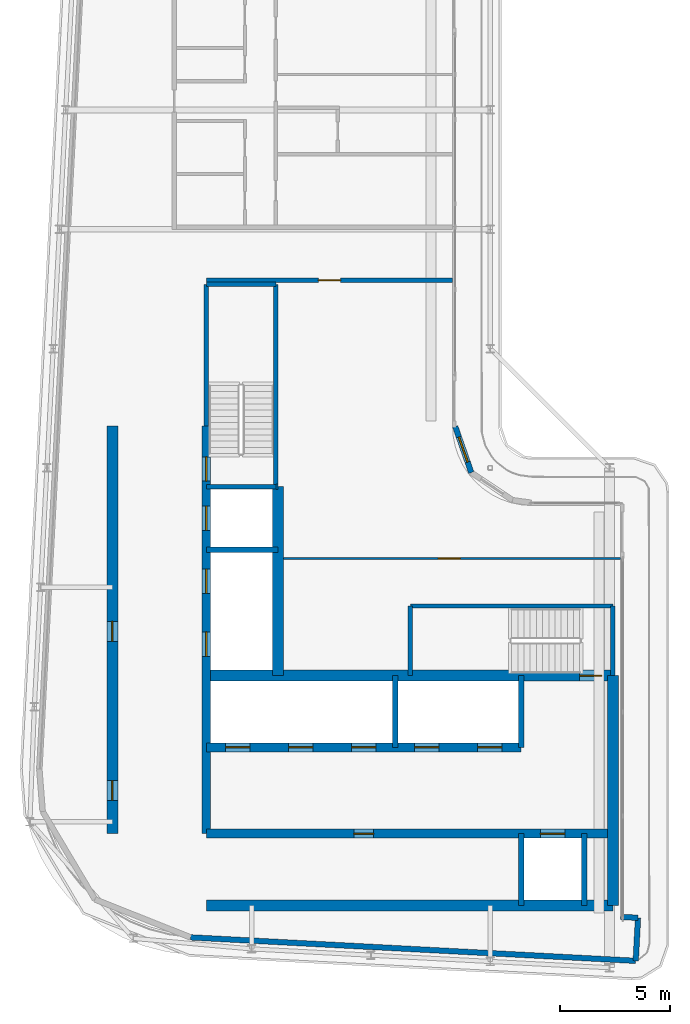
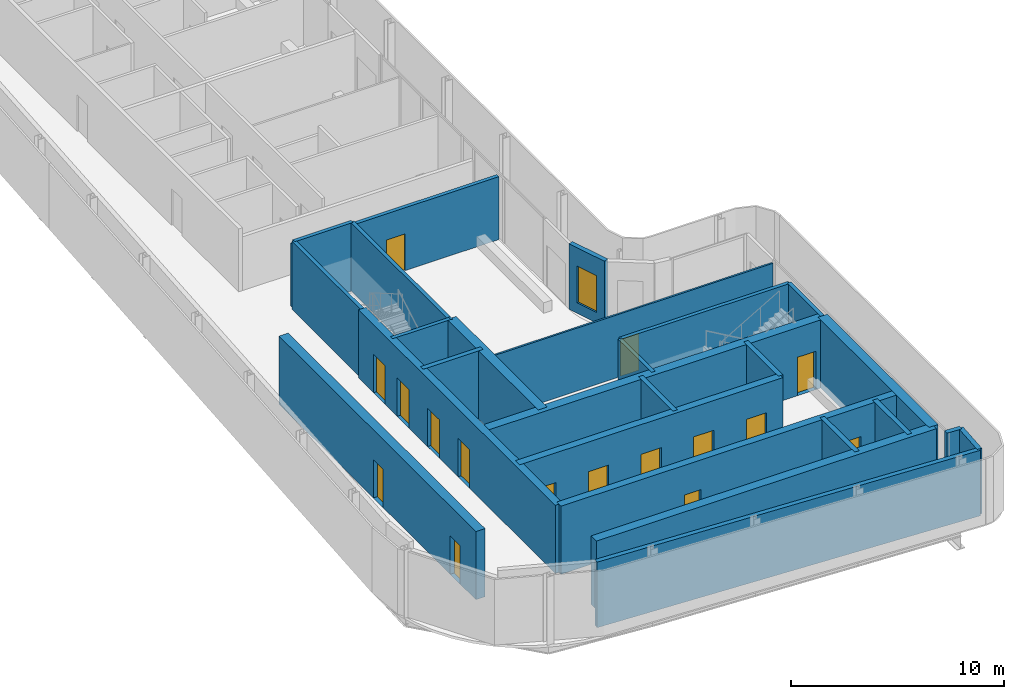
# One storey, part 9 of 18: 27 walls, 16 doors, 1 window, 17 openings.
"""IFC4 building model written with IfcOpenShell, lengths in metres."""

from ifc_helpers import new_model, si_unit, direction, frame, frame_2d, origin, place, context, subcontext, project, spatial, rectangle, extrude, source, transform, mapped, material, layer, layer_set, type_object, element, fill, save


model = new_model("IFC4")

# Units and contexts
model_context = context("Model", 3, precision=1e-05, world=origin(), true_north=direction((0.0, 1.0)))
body_context = subcontext(model_context, "Body", "Model", "MODEL_VIEW")
ifc_project = project(units=[si_unit("LENGTHUNIT", "METRE"), si_unit("AREAUNIT", "SQUARE_METRE"), si_unit("VOLUMEUNIT", "CUBIC_METRE"), si_unit("PLANEANGLEUNIT", "RADIAN"), si_unit("MASSUNIT", "GRAM", prefix="KILO")], contexts=[model_context])

# Site, building, storey
site_placement = place(None, origin())
site = spatial("IfcSite", under=ifc_project, at=site_placement, CompositionType="ELEMENT")
building_placement = place(site_placement, origin())
building = spatial("IfcBuilding", under=site, at=building_placement, Name="Kheshtan School and Residences Tower", CompositionType="ELEMENT")
storey_placement = place(building_placement, frame((0.0, 0.0, 377.300048828125)))
storey = spatial("IfcBuildingStorey", under=building, at=storey_placement, Name="L89", CompositionType="ELEMENT", Elevation=377.300048828125)

# Wall, openings, doors
ifc_material_1 = material(Name="Concrete C50/60", Category="concrete")
ifc_layer_1 = layer(ifc_material_1, 0.39990234375)
ifc_layer_set_1 = layer_set([ifc_layer_1], Name="Core wall 400 Concrete C50/60")
wall_type_1 = type_object("IfcWallType", Name="Core wall 400 Concrete C50/60", PredefinedType="SHEAR", material=ifc_layer_set_1)
wall_1_placement = place(storey_placement, frame((34.75, 29.050048828125, 0.0), z_axis=(0.0, 0.0, 1.0), x_axis=(1.0, 0.0, 0.0)))
wall_1 = element("IfcWall", 1, at=wall_1_placement, inside=storey, type_object=wall_type_1, Name="Core wall CW-HALL-S1", PredefinedType="SHEAR", context=body_context, shape_type="SweptSolid", body=[
    extrude(rectangle(XDim=18.39990234375, YDim=0.39990234375, at=frame_2d((9.199951171875, 0.0))), origin(), (0.0, 0.0, 1.0), 3.89990234375),
])
opening_1_placement = place(wall_1_placement, frame((15.125, 0.0, 0.0)))
opening_1 = element("IfcOpeningElement", 2, at=opening_1_placement, cuts=wall_1, Name="Opening LD", PredefinedType="OPENING", context=body_context, shape_type="SweptSolid", body=[
    extrude(rectangle(XDim=1.10009765625, YDim=2.199951171875, at=frame_2d((0.550048828125, 1.10009765625))), frame((0.0, 0.2099609375, 0.0), z_axis=(0.0, -1.0, 0.0), x_axis=(1.0, 0.0, 0.0)), (0.0, 0.0, 1.0), 0.419921875),
])
opening_2_placement = place(wall_1_placement, frame((6.675048828125, 0.0, 0.0)))
opening_2 = element("IfcOpeningElement", 3, at=opening_2_placement, cuts=wall_1, Name="Opening SR90", PredefinedType="OPENING", context=body_context, shape_type="SweptSolid", body=[
    extrude(rectangle(XDim=0.89990234375, YDim=2.199951171875, at=frame_2d((0.449951171875, 1.10009765625))), frame((0.0, 0.2099609375, 0.0), z_axis=(0.0, -1.0, 0.0), x_axis=(1.0, 0.0, 0.0)), (0.0, 0.0, 1.0), 0.419921875),
])
ifc_material_2 = material(Name="Stainless steel door leaves", Category="steel")
door_type_1 = type_object("IfcDoorType", Name="Lift landing door 1100", OperationType="SLIDING_TO_LEFT", PredefinedType="DOOR", material=ifc_material_2)
shared_shape_1 = source(origin(), body_context, "Body", "SweptSolid", [
    extrude(rectangle(XDim=1.10009765625, YDim=2.199951171875, at=frame_2d((0.550048828125, 1.10009765625))), frame((0.0, 0.02490234375, 0.0), z_axis=(0.0, -1.0, 0.0), x_axis=(1.0, 0.0, 0.0)), (0.0, 0.0, 1.0), 0.050048828125),
])
door_1_placement = place(opening_1_placement, origin())
door_1 = element("IfcDoor", 4, at=door_1_placement, inside=storey, type_object=door_type_1, Name="Lift FFL2 landing door", OperationType="SLIDING_TO_LEFT", OverallHeight=2.199951171875, OverallWidth=1.10009765625, PredefinedType="DOOR", context=body_context, shape_type="MappedRepresentation", body=[
    mapped(shared_shape_1, transform((0.0, 0.0, 0.0), x_axis=(1.0, 0.0, 0.0), y_axis=(0.0, 1.0, 0.0), z_axis=(0.0, 0.0, 1.0), scale=1.0)),
])
fill(opening_1, door_1)
ifc_material_3 = material(Name="Steel door leaf, galvanised", Category="steel")
door_type_2 = type_object("IfcDoorType", Name="Service room door 900 steel 90 min", OperationType="SINGLE_SWING_LEFT", PredefinedType="DOOR", material=ifc_material_3)
shared_shape_2 = source(origin(), body_context, "Body", "SweptSolid", [
    extrude(rectangle(XDim=0.89990234375, YDim=2.199951171875, at=frame_2d((0.449951171875, 1.10009765625))), frame((0.0, 0.02490234375, 0.0), z_axis=(0.0, -1.0, 0.0), x_axis=(1.0, 0.0, 0.0)), (0.0, 0.0, 1.0), 0.050048828125),
])
door_2_placement = place(opening_2_placement, origin())
door_2 = element("IfcDoor", 5, at=door_2_placement, inside=storey, type_object=door_type_2, Name="Service room door", OperationType="SINGLE_SWING_RIGHT", OverallHeight=2.199951171875, OverallWidth=0.89990234375, PredefinedType="DOOR", context=body_context, shape_type="MappedRepresentation", body=[
    mapped(shared_shape_2, transform((0.0, 0.0, 0.0), x_axis=(1.0, 0.0, 0.0), y_axis=(0.0, 1.0, 0.0), z_axis=(0.0, 0.0, 1.0), scale=1.0)),
])
fill(opening_2, door_2)

wall_2_placement = place(storey_placement, frame((34.75, 32.949951171875, 0.0), z_axis=(0.0, 0.0, 1.0), x_axis=(1.0, 0.0, 0.0)))
wall_2 = element("IfcWall", 6, at=wall_2_placement, inside=storey, type_object=wall_type_1, Name="Core wall CW-HALL-S2", PredefinedType="SHEAR", context=body_context, shape_type="SweptSolid", body=[
    extrude(rectangle(XDim=14.25, YDim=0.39990234375, at=frame_2d((7.125, 0.0))), origin(), (0.0, 0.0, 1.0), 3.89990234375),
])
opening_3_placement = place(wall_2_placement, frame((0.875, 0.0, 0.0)))
opening_3 = element("IfcOpeningElement", 7, at=opening_3_placement, cuts=wall_2, Name="Opening LD", PredefinedType="OPENING", context=body_context, shape_type="SweptSolid", body=[
    extrude(rectangle(XDim=1.10009765625, YDim=2.199951171875, at=frame_2d((0.550048828125, 1.10009765625))), frame((0.0, 0.2099609375, 0.0), z_axis=(0.0, -1.0, 0.0), x_axis=(1.0, 0.0, 0.0)), (0.0, 0.0, 1.0), 0.419921875),
])
opening_4_placement = place(wall_2_placement, frame((3.72509765625, 0.0, 0.0)))
opening_4 = element("IfcOpeningElement", 8, at=opening_4_placement, cuts=wall_2, Name="Opening LD", PredefinedType="OPENING", context=body_context, shape_type="SweptSolid", body=[
    extrude(rectangle(XDim=1.10009765625, YDim=2.199951171875, at=frame_2d((0.550048828125, 1.10009765625))), frame((0.0, 0.2099609375, 0.0), z_axis=(0.0, -1.0, 0.0), x_axis=(1.0, 0.0, 0.0)), (0.0, 0.0, 1.0), 0.419921875),
])
opening_5_placement = place(wall_2_placement, frame((6.574951171875, 0.0, 0.0)))
opening_5 = element("IfcOpeningElement", 9, at=opening_5_placement, cuts=wall_2, Name="Opening LD", PredefinedType="OPENING", context=body_context, shape_type="SweptSolid", body=[
    extrude(rectangle(XDim=1.10009765625, YDim=2.199951171875, at=frame_2d((0.550048828125, 1.10009765625))), frame((0.0, 0.2099609375, 0.0), z_axis=(0.0, -1.0, 0.0), x_axis=(1.0, 0.0, 0.0)), (0.0, 0.0, 1.0), 0.419921875),
])
opening_6_placement = place(wall_2_placement, frame((9.425048828125, 0.0, 0.0)))
opening_6 = element("IfcOpeningElement", 10, at=opening_6_placement, cuts=wall_2, Name="Opening LD", PredefinedType="OPENING", context=body_context, shape_type="SweptSolid", body=[
    extrude(rectangle(XDim=1.10009765625, YDim=2.199951171875, at=frame_2d((0.550048828125, 1.10009765625))), frame((0.0, 0.2099609375, 0.0), z_axis=(0.0, -1.0, 0.0), x_axis=(1.0, 0.0, 0.0)), (0.0, 0.0, 1.0), 0.419921875),
])
opening_7_placement = place(wall_2_placement, frame((12.27490234375, 0.0, 0.0)))
opening_7 = element("IfcOpeningElement", 11, at=opening_7_placement, cuts=wall_2, Name="Opening LD", PredefinedType="OPENING", context=body_context, shape_type="SweptSolid", body=[
    extrude(rectangle(XDim=1.10009765625, YDim=2.199951171875, at=frame_2d((0.550048828125, 1.10009765625))), frame((0.0, 0.2099609375, 0.0), z_axis=(0.0, -1.0, 0.0), x_axis=(1.0, 0.0, 0.0)), (0.0, 0.0, 1.0), 0.419921875),
])
door_3_placement = place(opening_3_placement, origin())
door_3 = element("IfcDoor", 12, at=door_3_placement, inside=storey, type_object=door_type_1, Name="Lift P12 landing door", OperationType="SLIDING_TO_LEFT", OverallHeight=2.199951171875, OverallWidth=1.10009765625, PredefinedType="DOOR", context=body_context, shape_type="MappedRepresentation", body=[
    mapped(shared_shape_1, transform((0.0, 0.0, 0.0), x_axis=(1.0, 0.0, 0.0), y_axis=(0.0, 1.0, 0.0), z_axis=(0.0, 0.0, 1.0), scale=1.0)),
])
fill(opening_3, door_3)
door_4_placement = place(opening_4_placement, origin())
door_4 = element("IfcDoor", 13, at=door_4_placement, inside=storey, type_object=door_type_1, Name="Lift P13 landing door", OperationType="SLIDING_TO_LEFT", OverallHeight=2.199951171875, OverallWidth=1.10009765625, PredefinedType="DOOR", context=body_context, shape_type="MappedRepresentation", body=[
    mapped(shared_shape_1, transform((0.0, 0.0, 0.0), x_axis=(1.0, 0.0, 0.0), y_axis=(0.0, 1.0, 0.0), z_axis=(0.0, 0.0, 1.0), scale=1.0)),
])
fill(opening_4, door_4)
door_5_placement = place(opening_5_placement, origin())
door_5 = element("IfcDoor", 14, at=door_5_placement, inside=storey, type_object=door_type_1, Name="Lift P14 landing door", OperationType="SLIDING_TO_LEFT", OverallHeight=2.199951171875, OverallWidth=1.10009765625, PredefinedType="DOOR", context=body_context, shape_type="MappedRepresentation", body=[
    mapped(shared_shape_1, transform((0.0, 0.0, 0.0), x_axis=(1.0, 0.0, 0.0), y_axis=(0.0, 1.0, 0.0), z_axis=(0.0, 0.0, 1.0), scale=1.0)),
])
fill(opening_5, door_5)
door_6_placement = place(opening_6_placement, origin())
door_6 = element("IfcDoor", 15, at=door_6_placement, inside=storey, type_object=door_type_1, Name="Lift P15 landing door", OperationType="SLIDING_TO_LEFT", OverallHeight=2.199951171875, OverallWidth=1.10009765625, PredefinedType="DOOR", context=body_context, shape_type="MappedRepresentation", body=[
    mapped(shared_shape_1, transform((0.0, 0.0, 0.0), x_axis=(1.0, 0.0, 0.0), y_axis=(0.0, 1.0, 0.0), z_axis=(0.0, 0.0, 1.0), scale=1.0)),
])
fill(opening_6, door_6)
door_7_placement = place(opening_7_placement, origin())
door_7 = element("IfcDoor", 16, at=door_7_placement, inside=storey, type_object=door_type_1, Name="Lift P16 landing door", OperationType="SLIDING_TO_LEFT", OverallHeight=2.199951171875, OverallWidth=1.10009765625, PredefinedType="DOOR", context=body_context, shape_type="MappedRepresentation", body=[
    mapped(shared_shape_1, transform((0.0, 0.0, 0.0), x_axis=(1.0, 0.0, 0.0), y_axis=(0.0, 1.0, 0.0), z_axis=(0.0, 0.0, 1.0), scale=1.0)),
])
fill(opening_7, door_7)

wall_3_placement = place(storey_placement, frame((34.75, 29.050048828125, 0.0), z_axis=(0.0, 0.0, 1.0), x_axis=(0.0, 1.0, 0.0)))
wall_3 = element("IfcWall", 17, at=wall_3_placement, inside=storey, type_object=wall_type_1, Name="Core wall CW-HALL-W1", PredefinedType="SHEAR", context=body_context, shape_type="SweptSolid", body=[
    extrude(rectangle(XDim=18.449951171875, YDim=0.39990234375, at=frame_2d((9.22509765625, 0.0))), origin(), (0.0, 0.0, 1.0), 3.89990234375),
])
opening_8_placement = place(wall_3_placement, frame((8.02490234375, 0.0, 0.0)))
opening_8 = element("IfcOpeningElement", 18, at=opening_8_placement, cuts=wall_3, Name="Opening LD", PredefinedType="OPENING", context=body_context, shape_type="SweptSolid", body=[
    extrude(rectangle(XDim=1.10009765625, YDim=2.199951171875, at=frame_2d((0.550048828125, 1.10009765625))), frame((0.0, 0.2099609375, 0.0), z_axis=(0.0, -1.0, 0.0), x_axis=(1.0, 0.0, 0.0)), (0.0, 0.0, 1.0), 0.419921875),
])
opening_9_placement = place(wall_3_placement, frame((10.875, 0.0, 0.0)))
opening_9 = element("IfcOpeningElement", 19, at=opening_9_placement, cuts=wall_3, Name="Opening LD", PredefinedType="OPENING", context=body_context, shape_type="SweptSolid", body=[
    extrude(rectangle(XDim=1.10009765625, YDim=2.199951171875, at=frame_2d((0.550048828125, 1.10009765625))), frame((0.0, 0.2099609375, 0.0), z_axis=(0.0, -1.0, 0.0), x_axis=(1.0, 0.0, 0.0)), (0.0, 0.0, 1.0), 0.419921875),
])
opening_10_placement = place(wall_3_placement, frame((13.72509765625, 0.0, 0.0)))
opening_10 = element("IfcOpeningElement", 20, at=opening_10_placement, cuts=wall_3, Name="Opening LD", PredefinedType="OPENING", context=body_context, shape_type="SweptSolid", body=[
    extrude(rectangle(XDim=1.10009765625, YDim=2.199951171875, at=frame_2d((0.550048828125, 1.10009765625))), frame((0.0, 0.2099609375, 0.0), z_axis=(0.0, -1.0, 0.0), x_axis=(1.0, 0.0, 0.0)), (0.0, 0.0, 1.0), 0.419921875),
])
opening_11_placement = place(wall_3_placement, frame((15.949951171875, 0.0, 0.0)))
opening_11 = element("IfcOpeningElement", 21, at=opening_11_placement, cuts=wall_3, Name="Opening ST2D", PredefinedType="OPENING", context=body_context, shape_type="SweptSolid", body=[
    extrude(rectangle(XDim=1.10009765625, YDim=2.199951171875, at=frame_2d((0.550048828125, 1.10009765625))), frame((0.0, 0.2099609375, 0.0), z_axis=(0.0, -1.0, 0.0), x_axis=(1.0, 0.0, 0.0)), (0.0, 0.0, 1.0), 0.419921875),
])
door_8_placement = place(opening_8_placement, origin())
door_8 = element("IfcDoor", 22, at=door_8_placement, inside=storey, type_object=door_type_1, Name="Lift SV1 landing door", OperationType="SLIDING_TO_LEFT", OverallHeight=2.199951171875, OverallWidth=1.10009765625, PredefinedType="DOOR", context=body_context, shape_type="MappedRepresentation", body=[
    mapped(shared_shape_1, transform((0.0, 0.0, 0.0), x_axis=(1.0, 0.0, 0.0), y_axis=(0.0, 1.0, 0.0), z_axis=(0.0, 0.0, 1.0), scale=1.0)),
])
fill(opening_8, door_8)
door_9_placement = place(opening_9_placement, origin())
door_9 = element("IfcDoor", 23, at=door_9_placement, inside=storey, type_object=door_type_1, Name="Lift SV2 landing door", OperationType="SLIDING_TO_LEFT", OverallHeight=2.199951171875, OverallWidth=1.10009765625, PredefinedType="DOOR", context=body_context, shape_type="MappedRepresentation", body=[
    mapped(shared_shape_1, transform((0.0, 0.0, 0.0), x_axis=(1.0, 0.0, 0.0), y_axis=(0.0, 1.0, 0.0), z_axis=(0.0, 0.0, 1.0), scale=1.0)),
])
fill(opening_9, door_9)
door_10_placement = place(opening_10_placement, origin())
door_10 = element("IfcDoor", 24, at=door_10_placement, inside=storey, type_object=door_type_1, Name="Lift FFL1 landing door", OperationType="SLIDING_TO_LEFT", OverallHeight=2.199951171875, OverallWidth=1.10009765625, PredefinedType="DOOR", context=body_context, shape_type="MappedRepresentation", body=[
    mapped(shared_shape_1, transform((0.0, 0.0, 0.0), x_axis=(1.0, 0.0, 0.0), y_axis=(0.0, 1.0, 0.0), z_axis=(0.0, 0.0, 1.0), scale=1.0)),
])
fill(opening_10, door_10)
door_type_3 = type_object("IfcDoorType", Name="Stair door 1100 steel 90 min", OperationType="SINGLE_SWING_LEFT", PredefinedType="DOOR", material=ifc_material_3)
shared_shape_3 = source(origin(), body_context, "Body", "SweptSolid", [
    extrude(rectangle(XDim=1.10009765625, YDim=2.199951171875, at=frame_2d((0.550048828125, 1.10009765625))), frame((0.0, 0.02490234375, 0.0), z_axis=(0.0, -1.0, 0.0), x_axis=(1.0, 0.0, 0.0)), (0.0, 0.0, 1.0), 0.050048828125),
])
door_11_placement = place(opening_11_placement, origin())
door_11 = element("IfcDoor", 25, at=door_11_placement, inside=storey, type_object=door_type_3, Name="Stair ST2 door", OperationType="SINGLE_SWING_RIGHT", OverallHeight=2.199951171875, OverallWidth=1.10009765625, PredefinedType="DOOR", context=body_context, shape_type="MappedRepresentation", body=[
    mapped(shared_shape_3, transform((0.0, 0.0, 0.0), x_axis=(1.0, 0.0, 0.0), y_axis=(0.0, 1.0, 0.0), z_axis=(0.0, 0.0, 1.0), scale=1.0)),
])
fill(opening_11, door_11)

# Wall
ifc_layer_2 = layer(ifc_material_1, 0.5)
ifc_layer_set_2 = layer_set([ifc_layer_2], Name="Core wall 500 Concrete C50/60")
wall_type_2 = type_object("IfcWallType", Name="Core wall 500 Concrete C50/60", PredefinedType="SHEAR", material=ifc_layer_set_2)
wall_4_placement = place(storey_placement, frame((34.75, 25.800048828125, 0.0), z_axis=(0.0, 0.0, 1.0), x_axis=(1.0, 0.0, 0.0)))
element("IfcWall", 26, at=wall_4_placement, inside=storey, type_object=wall_type_2, Name="Core wall CW-REAR-S", PredefinedType="SHEAR", context=body_context, shape_type="SweptSolid", body=[
    extrude(rectangle(XDim=18.39990234375, YDim=0.5, at=frame_2d((9.199951171875, 0.0))), origin(), (0.0, 0.0, 1.0), 3.89990234375),
])

# Wall, opening, door
wall_5_placement = place(storey_placement, frame((34.75, 36.199951171875, 0.0), z_axis=(0.0, 0.0, 1.0), x_axis=(1.0, 0.0, 0.0)))
wall_5 = element("IfcWall", 27, at=wall_5_placement, inside=storey, type_object=wall_type_2, Name="Core wall CW-FRONT-S", PredefinedType="SHEAR", context=body_context, shape_type="SweptSolid", body=[
    extrude(rectangle(XDim=18.39990234375, YDim=0.5, at=frame_2d((9.199951171875, 0.0))), origin(), (0.0, 0.0, 1.0), 3.89990234375),
])
opening_12_placement = place(wall_5_placement, frame((16.89990234375, 0.0, 0.0)))
opening_12 = element("IfcOpeningElement", 28, at=opening_12_placement, cuts=wall_5, Name="Opening ST1D", PredefinedType="OPENING", context=body_context, shape_type="SweptSolid", body=[
    extrude(rectangle(XDim=1.0, YDim=2.199951171875, at=frame_2d((0.5, 1.10009765625))), frame((0.0, 0.260009765625, 0.0), z_axis=(0.0, -1.0, 0.0), x_axis=(1.0, 0.0, 0.0)), (0.0, 0.0, 1.0), 0.52001953125),
])
shared_shape_4 = source(origin(), body_context, "Body", "SweptSolid", [
    extrude(rectangle(XDim=1.0, YDim=2.199951171875, at=frame_2d((0.5, 1.10009765625))), frame((0.0, 0.02490234375, 0.0), z_axis=(0.0, -1.0, 0.0), x_axis=(1.0, 0.0, 0.0)), (0.0, 0.0, 1.0), 0.050048828125),
])
door_12_placement = place(opening_12_placement, origin())
door_12 = element("IfcDoor", 29, at=door_12_placement, inside=storey, type_object=door_type_3, Name="Stair ST1 door", OperationType="SINGLE_SWING_RIGHT", OverallHeight=2.199951171875, OverallWidth=1.0, PredefinedType="DOOR", context=body_context, shape_type="MappedRepresentation", body=[
    mapped(shared_shape_4, transform((0.0, 0.0, 0.0), x_axis=(1.0, 0.0, 0.0), y_axis=(0.0, 1.0, 0.0), z_axis=(0.0, 0.0, 1.0), scale=1.0)),
])
fill(opening_12, door_12)

# Wall
wall_6_placement = place(storey_placement, frame((38.0, 36.199951171875, 0.0), z_axis=(0.0, 0.0, 1.0), x_axis=(0.0, 1.0, 0.0)))
element("IfcWall", 30, at=wall_6_placement, inside=storey, type_object=wall_type_2, Name="Core wall CW-FRONT-W", PredefinedType="SHEAR", context=body_context, shape_type="SweptSolid", body=[
    extrude(rectangle(XDim=8.550048828125, YDim=0.5, at=frame_2d((4.27490234375, 0.0))), origin(), (0.0, 0.0, 1.0), 3.89990234375),
])

# Wall, openings, doors
wall_7_placement = place(storey_placement, frame((30.5, 29.050048828125, 0.0), z_axis=(0.0, 0.0, 1.0), x_axis=(0.0, 1.0, 0.0)))
wall_7 = element("IfcWall", 31, at=wall_7_placement, inside=storey, type_object=wall_type_2, Name="Core wall CW-REAR-W", PredefinedType="SHEAR", context=body_context, shape_type="SweptSolid", body=[
    extrude(rectangle(XDim=18.449951171875, YDim=0.5, at=frame_2d((9.22509765625, 0.0))), origin(), (0.0, 0.0, 1.0), 3.89990234375),
])
opening_13_placement = place(wall_7_placement, frame((1.5, 0.0, 0.0)))
opening_13 = element("IfcOpeningElement", 32, at=opening_13_placement, cuts=wall_7, Name="Opening SR90", PredefinedType="OPENING", context=body_context, shape_type="SweptSolid", body=[
    extrude(rectangle(XDim=0.89990234375, YDim=2.199951171875, at=frame_2d((0.449951171875, 1.10009765625))), frame((0.0, 0.260009765625, 0.0), z_axis=(0.0, -1.0, 0.0), x_axis=(1.0, 0.0, 0.0)), (0.0, 0.0, 1.0), 0.52001953125),
])
opening_14_placement = place(wall_7_placement, frame((8.705078125, 0.0, 0.0)))
opening_14 = element("IfcOpeningElement", 33, at=opening_14_placement, cuts=wall_7, Name="Opening SR90", PredefinedType="OPENING", context=body_context, shape_type="SweptSolid", body=[
    extrude(rectangle(XDim=0.89990234375, YDim=2.199951171875, at=frame_2d((0.449951171875, 1.10009765625))), frame((0.0, 0.260009765625, 0.0), z_axis=(0.0, -1.0, 0.0), x_axis=(1.0, 0.0, 0.0)), (0.0, 0.0, 1.0), 0.52001953125),
])
door_13_placement = place(opening_13_placement, origin())
door_13 = element("IfcDoor", 34, at=door_13_placement, inside=storey, type_object=door_type_2, Name="Service room door", OperationType="SINGLE_SWING_LEFT", OverallHeight=2.199951171875, OverallWidth=0.89990234375, PredefinedType="DOOR", context=body_context, shape_type="MappedRepresentation", body=[
    mapped(shared_shape_2, transform((0.0, 0.0, 0.0), x_axis=(1.0, 0.0, 0.0), y_axis=(0.0, 1.0, 0.0), z_axis=(0.0, 0.0, 1.0), scale=1.0)),
])
fill(opening_13, door_13)
door_14_placement = place(opening_14_placement, origin())
door_14 = element("IfcDoor", 35, at=door_14_placement, inside=storey, type_object=door_type_2, Name="Service room door", OperationType="SINGLE_SWING_LEFT", OverallHeight=2.199951171875, OverallWidth=0.89990234375, PredefinedType="DOOR", context=body_context, shape_type="MappedRepresentation", body=[
    mapped(shared_shape_2, transform((0.0, 0.0, 0.0), x_axis=(1.0, 0.0, 0.0), y_axis=(0.0, 1.0, 0.0), z_axis=(0.0, 0.0, 1.0), scale=1.0)),
])
fill(opening_14, door_14)

# Wall
wall_8_placement = place(storey_placement, frame((53.14990234375, 25.800048828125, 0.0), z_axis=(0.0, 0.0, 1.0), x_axis=(0.0, 1.0, 0.0)))
element("IfcWall", 36, at=wall_8_placement, inside=storey, type_object=wall_type_2, Name="Core wall CW-EAST", PredefinedType="SHEAR", context=body_context, shape_type="SweptSolid", body=[
    extrude(rectangle(XDim=10.39990234375, YDim=0.5, at=frame_2d((5.199951171875, 0.0))), origin(), (0.0, 0.0, 1.0), 3.89990234375),
])

# Wall, opening, door
ifc_material_4 = material(Name="Gypsum board on steel studs with fire boards", Category="steel")
ifc_layer_3 = layer(ifc_material_4, 0.199951171875)
ifc_layer_set_3 = layer_set([ifc_layer_3], Name="Corridor wall 200")
wall_type_3 = type_object("IfcWallType", Name="Corridor wall 200", PredefinedType="PARTITIONING", material=ifc_layer_set_3)
wall_9_placement = place(storey_placement, frame((34.75, 54.10009765625, 0.0), z_axis=(0.0, 0.0, 1.0), x_axis=(1.0, 0.0, 0.0)))
wall_9 = element("IfcWall", 37, at=wall_9_placement, inside=storey, type_object=wall_type_3, Name="Partition L89-018", PredefinedType="PARTITIONING", context=body_context, shape_type="SweptSolid", body=[
    extrude(rectangle(XDim=11.14990234375, YDim=0.199951171875, at=frame_2d((5.574951171875, 0.0))), origin(), (0.0, 0.0, 1.0), 3.599853515625),
])
opening_15_placement = place(wall_9_placement, frame((5.074951171875, 0.0, 0.0)))
opening_15 = element("IfcOpeningElement", 38, at=opening_15_placement, cuts=wall_9, Name="Opening D87-030", PredefinedType="OPENING", context=body_context, shape_type="SweptSolid", body=[
    extrude(rectangle(XDim=1.0, YDim=2.10009765625, at=frame_2d((0.5, 1.050048828125))), frame((0.0, 0.10986328125, 0.0), z_axis=(0.0, -1.0, 0.0), x_axis=(1.0, 0.0, 0.0)), (0.0, 0.0, 1.0), 0.219970703125),
])
ifc_material_5 = material(Name="Steel-framed fire-resisting door leaf", Category="steel")
door_type_4 = type_object("IfcDoorType", Name="Fire door FD60 1000 x 2100", OperationType="SINGLE_SWING_LEFT", PredefinedType="DOOR", material=ifc_material_5)
shared_shape_5 = source(origin(), body_context, "Body", "SweptSolid", [
    extrude(rectangle(XDim=1.0, YDim=2.10009765625, at=frame_2d((0.5, 1.050048828125))), frame((0.0, 0.02490234375, 0.0), z_axis=(0.0, -1.0, 0.0), x_axis=(1.0, 0.0, 0.0)), (0.0, 0.0, 1.0), 0.050048828125),
])
door_15_placement = place(opening_15_placement, origin())
door_15 = element("IfcDoor", 39, at=door_15_placement, inside=storey, type_object=door_type_4, Name="Door D87-030", OperationType="SINGLE_SWING_RIGHT", OverallHeight=2.10009765625, OverallWidth=1.0, PredefinedType="DOOR", context=body_context, shape_type="MappedRepresentation", body=[
    mapped(shared_shape_5, transform((0.0, 0.0, 0.0), x_axis=(1.0, 0.0, 0.0), y_axis=(0.0, 1.0, 0.0), z_axis=(0.0, 0.0, 1.0), scale=1.0)),
])
fill(opening_15, door_15)

# Wall, opening, window
ifc_material_6 = material(Name="Concrete C40/50 with ceramic cladding and mineral wool insulation", Category="concrete")
ifc_layer_4 = layer(ifc_material_6, 0.25)
ifc_layer_set_4 = layer_set([ifc_layer_4], Name="External wall 250 ceramic clad")
wall_type_4 = type_object("IfcWallType", Name="External wall 250 ceramic clad", PredefinedType="SOLIDWALL", material=ifc_layer_set_4)
wall_10_placement = place(storey_placement, frame((46.01806640625, 47.470947265625, 0.0), z_axis=(0.0, 0.0, 1.0), x_axis=(0.328791208903, -0.944402637093, 0.0)))
wall_10 = element("IfcWall", 40, at=wall_10_placement, inside=storey, type_object=wall_type_4, Name="External wall L89 9", PredefinedType="SOLIDWALL", context=body_context, shape_type="SweptSolid", body=[
    extrude(rectangle(XDim=2.20458984375, YDim=0.25, at=frame_2d((1.102294921875, 0.0))), origin(), (0.0, 0.0, 1.0), 3.75),
])
opening_16_placement = place(wall_10_placement, frame((0.5029296875, 0.0, 0.60009765625)))
opening_16 = element("IfcOpeningElement", 41, at=opening_16_placement, cuts=wall_10, Name="Opening WN-E", PredefinedType="OPENING", context=body_context, shape_type="SweptSolid", body=[
    extrude(rectangle(XDim=1.199951171875, YDim=2.10009765625, at=frame_2d((0.60009765625, 1.050048828125))), frame((0.0, 0.135009765625, 0.0), z_axis=(0.0, -1.0, 0.0), x_axis=(1.0, 0.0, 0.0)), (0.0, 0.0, 1.0), 0.27001953125),
])
ifc_material_7 = material(Name="Clear low-e glass in thermally broken aluminium frame", Category="aluminium")
window_type = type_object("IfcWindowType", Name="Window WN-E", PartitioningType="SINGLE_PANEL", PredefinedType="WINDOW", material=ifc_material_7)
shared_shape_6 = source(origin(), body_context, "Body", "SweptSolid", [
    extrude(rectangle(XDim=1.199951171875, YDim=2.10009765625, at=frame_2d((0.60009765625, 1.050048828125))), frame((0.0, 0.030029296875, 0.0), z_axis=(0.0, -1.0, 0.0), x_axis=(1.0, 0.0, 0.0)), (0.0, 0.0, 1.0), 0.06005859375),
])
window_placement = place(opening_16_placement, origin())
window = element("IfcWindow", 42, at=window_placement, inside=storey, type_object=window_type, Name="Window L89 9", OverallHeight=2.10009765625, OverallWidth=1.199951171875, PartitioningType="SINGLE_PANEL", PredefinedType="WINDOW", context=body_context, shape_type="MappedRepresentation", body=[
    mapped(shared_shape_6, transform((0.0, 0.0, 0.0), x_axis=(1.0, 0.0, 0.0), y_axis=(0.0, 1.0, 0.0), z_axis=(0.0, 0.0, 1.0), scale=1.0)),
])
fill(opening_16, window)

# Walls
wall_11_placement = place(storey_placement, frame((53.507080078125, 25.281005859375, 0.0), z_axis=(0.0, 0.0, 1.0), x_axis=(0.998561284263, -0.053622398031, 0.0)))
element("IfcWall", 43, at=wall_11_placement, inside=storey, type_object=wall_type_4, Name="External wall L89 14", PredefinedType="SOLIDWALL", context=body_context, shape_type="SweptSolid", body=[
    extrude(rectangle(XDim=0.783203125, YDim=0.25, at=frame_2d((0.3916015625, 0.0))), origin(), (0.0, 0.0, 1.0), 3.75),
])
wall_12_placement = place(storey_placement, frame((54.2890625, 25.239013671875, 0.0), z_axis=(0.0, 0.0, 1.0), x_axis=(-0.052841433274, -0.998602915542, 0.0)))
element("IfcWall", 44, at=wall_12_placement, inside=storey, type_object=wall_type_4, Name="External wall L89 15", PredefinedType="SOLIDWALL", context=body_context, shape_type="SweptSolid", body=[
    extrude(rectangle(XDim=1.94970703125, YDim=0.25, at=frame_2d((0.974853515625, 0.0))), origin(), (0.0, 0.0, 1.0), 3.75),
])
wall_13_placement = place(storey_placement, frame((54.18603515625, 23.2919921875, 0.0), z_axis=(0.0, 0.0, 1.0), x_axis=(-0.998616090491, 0.052591860707, 0.0)))
element("IfcWall", 45, at=wall_13_placement, inside=storey, type_object=wall_type_4, Name="External wall L89 16", PredefinedType="SOLIDWALL", context=body_context, shape_type="SweptSolid", body=[
    extrude(rectangle(XDim=20.1748046875, YDim=0.25, at=frame_2d((10.08740234375, 0.0))), origin(), (0.0, 0.0, 1.0), 3.75),
])

# Wall, opening, door
ifc_material_8 = material(Name="Gypsum board on steel studs", Category="steel")
ifc_layer_5 = layer(ifc_material_8, 0.10009765625)
ifc_layer_set_5 = layer_set([ifc_layer_5], Name="Gypsum partition 100")
wall_type_5 = type_object("IfcWallType", Name="Gypsum partition 100", PredefinedType="PARTITIONING", material=ifc_layer_set_5)
wall_14_placement = place(storey_placement, frame((38.2490234375, 41.5, 0.0), z_axis=(0.0, 0.0, 1.0), x_axis=(1.0, 0.0, 0.0)))
wall_14 = element("IfcWall", 46, at=wall_14_placement, inside=storey, type_object=wall_type_5, Name="Partition L89-038", PredefinedType="PARTITIONING", context=body_context, shape_type="SweptSolid", body=[
    extrude(rectangle(XDim=15.2509765625, YDim=0.10009765625, at=frame_2d((7.62548828125, 0.0))), origin(), (0.0, 0.0, 1.0), 3.599853515625),
])
opening_17_placement = place(wall_14_placement, frame((7.0009765625, 0.0, 0.0)))
opening_17 = element("IfcOpeningElement", 47, at=opening_17_placement, cuts=wall_14, Name="Opening D87-029", PredefinedType="OPENING", context=body_context, shape_type="SweptSolid", body=[
    extrude(rectangle(XDim=1.0, YDim=2.10009765625, at=frame_2d((0.5, 1.050048828125))), frame((0.0, 0.06005859375, 0.0), z_axis=(0.0, -1.0, 0.0), x_axis=(1.0, 0.0, 0.0)), (0.0, 0.0, 1.0), 0.1201171875),
])
ifc_material_9 = material(Name="Veneered timber door leaf", Category="wood")
door_type_5 = type_object("IfcDoorType", Name="Door 1000 x 2100", OperationType="SINGLE_SWING_LEFT", PredefinedType="DOOR", material=ifc_material_9)
shared_shape_7 = source(origin(), body_context, "Body", "SweptSolid", [
    extrude(rectangle(XDim=1.0, YDim=2.10009765625, at=frame_2d((0.5, 1.050048828125))), frame((0.0, 0.02490234375, 0.0), z_axis=(0.0, -1.0, 0.0), x_axis=(1.0, 0.0, 0.0)), (0.0, 0.0, 1.0), 0.050048828125),
])
door_16_placement = place(opening_17_placement, origin())
door_16 = element("IfcDoor", 48, at=door_16_placement, inside=storey, type_object=door_type_5, Name="Door D87-029", OperationType="SINGLE_SWING_LEFT", OverallHeight=2.10009765625, OverallWidth=1.0, PredefinedType="DOOR", context=body_context, shape_type="MappedRepresentation", body=[
    mapped(shared_shape_7, transform((0.0, 0.0, 0.0), x_axis=(1.0, 0.0, 0.0), y_axis=(0.0, 1.0, 0.0), z_axis=(0.0, 0.0, 1.0), scale=1.0)),
])
fill(opening_17, door_16)

# Walls
ifc_material_10 = material(Name="Fire-board shaft wall system")
ifc_layer_6 = layer(ifc_material_10, 0.25)
ifc_layer_set_6 = layer_set([ifc_layer_6], Name="Shaft lining wall 250")
wall_type_6 = type_object("IfcWallType", Name="Shaft lining wall 250", PredefinedType="PARTITIONING", material=ifc_layer_set_6)
for number, where, z_axis, x_axis, name in (
    (49, (43.300048828125, 32.949951171875, 0.0), (0.0, 0.0, 1.0), (0.0, 1.0, 0.0), "Shaft lining wall"),
    (50, (49.0, 25.800048828125, 0.0), (0.0, 0.0, 1.0), (0.0, 1.0, 0.0), "Shaft lining wall"),
    (51, (49.0, 32.949951171875, 0.0), (0.0, 0.0, 1.0), (0.0, 1.0, 0.0), "Shaft lining wall"),
    (52, (51.85009765625, 25.800048828125, 0.0), (0.0, 0.0, 1.0), (0.0, 1.0, 0.0), "Shaft lining wall"),
    (53, (34.75, 41.89990234375, 0.0), (0.0, 0.0, 1.0), (1.0, 0.0, 0.0), "Shaft lining wall"),
):
    element("IfcWall", number, at=place(storey_placement, frame(where, z_axis=z_axis, x_axis=x_axis)), inside=storey, type_object=wall_type_6, Name=name, PredefinedType="PARTITIONING", context=body_context, shape_type="SweptSolid", body=[
        extrude(rectangle(XDim=3.25, YDim=0.25, at=frame_2d((1.625, 0.0))), origin(), (0.0, 0.0, 1.0), 3.89990234375),
    ])
wall_15_placement = place(storey_placement, frame((37.89990234375, 44.75, 0.0), z_axis=(0.0, 0.0, 1.0), x_axis=(1.0, 0.0, 0.0)))
element("IfcWall", 54, at=wall_15_placement, inside=storey, type_object=wall_type_6, Name="Shaft lining wall", PredefinedType="PARTITIONING", context=body_context, shape_type="SweptSolid", body=[
    extrude(rectangle(XDim=0.10009765625, YDim=0.25, at=frame_2d((0.050048828125, 0.0))), origin(), (0.0, 0.0, 1.0), 3.89990234375),
])
ifc_material_11 = material(Name="Concrete C40/50", Category="concrete")
ifc_layer_7 = layer(ifc_material_11, 0.199951171875)
ifc_layer_set_7 = layer_set([ifc_layer_7], Name="Stair enclosure wall 200 Concrete C40/50")
wall_type_7 = type_object("IfcWallType", Name="Stair enclosure wall 200 Concrete C40/50", PredefinedType="SHEAR", material=ifc_layer_set_7)
wall_16_placement = place(storey_placement, frame((43.989990234375, 39.35009765625, 0.0), z_axis=(0.0, 0.0, 1.0), x_axis=(1.0, 0.0, 0.0)))
element("IfcWall", 55, at=wall_16_placement, inside=storey, type_object=wall_type_7, Name="Stair enclosure wall ST1", PredefinedType="SHEAR", context=body_context, shape_type="SweptSolid", body=[
    extrude(rectangle(XDim=9.159912109375, YDim=0.199951171875, at=frame_2d((4.580078125, 0.0))), origin(), (0.0, 0.0, 1.0), 3.89990234375),
])
for number, where, z_axis, x_axis, name in (
    (56, (43.989990234375, 36.199951171875, 0.0), (0.0, 0.0, 1.0), (0.0, 1.0, 0.0), "Stair enclosure wall ST1"),
    (57, (53.14990234375, 36.199951171875, 0.0), (0.0, 0.0, 1.0), (0.0, 1.0, 0.0), "Stair enclosure wall ST1"),
):
    element("IfcWall", number, at=place(storey_placement, frame(where, z_axis=z_axis, x_axis=x_axis)), inside=storey, type_object=wall_type_7, Name=name, PredefinedType="SHEAR", context=body_context, shape_type="SweptSolid", body=[
        extrude(rectangle(XDim=3.150146484375, YDim=0.199951171875, at=frame_2d((1.5751953125, 0.0))), origin(), (0.0, 0.0, 1.0), 3.89990234375),
    ])
for number, where, z_axis, x_axis, name in (
    (58, (34.75, 44.75, 0.0), (0.0, 0.0, 1.0), (1.0, 0.0, 0.0), "Stair enclosure wall ST2"),
    (59, (34.75, 53.909912109375, 0.0), (0.0, 0.0, 1.0), (1.0, 0.0, 0.0), "Stair enclosure wall ST2"),
):
    element("IfcWall", number, at=place(storey_placement, frame(where, z_axis=z_axis, x_axis=x_axis)), inside=storey, type_object=wall_type_7, Name=name, PredefinedType="SHEAR", context=body_context, shape_type="SweptSolid", body=[
        extrude(rectangle(XDim=3.14990234375, YDim=0.199951171875, at=frame_2d((1.574951171875, 0.0))), origin(), (0.0, 0.0, 1.0), 3.89990234375),
    ])
wall_17_placement = place(storey_placement, frame((34.75, 47.5, 0.0), z_axis=(0.0, 0.0, 1.0), x_axis=(0.0, 1.0, 0.0)))
element("IfcWall", 60, at=wall_17_placement, inside=storey, type_object=wall_type_7, Name="Stair enclosure wall ST2", PredefinedType="SHEAR", context=body_context, shape_type="SweptSolid", body=[
    extrude(rectangle(XDim=6.409912109375, YDim=0.199951171875, at=frame_2d((3.205078125, 0.0))), origin(), (0.0, 0.0, 1.0), 3.89990234375),
])
wall_18_placement = place(storey_placement, frame((37.89990234375, 44.75, 0.0), z_axis=(0.0, 0.0, 1.0), x_axis=(0.0, 1.0, 0.0)))
element("IfcWall", 61, at=wall_18_placement, inside=storey, type_object=wall_type_7, Name="Stair enclosure wall ST2", PredefinedType="SHEAR", context=body_context, shape_type="SweptSolid", body=[
    extrude(rectangle(XDim=9.159912109375, YDim=0.199951171875, at=frame_2d((4.580078125, 0.0))), origin(), (0.0, 0.0, 1.0), 3.89990234375),
])

save(model, "model.ifc")
